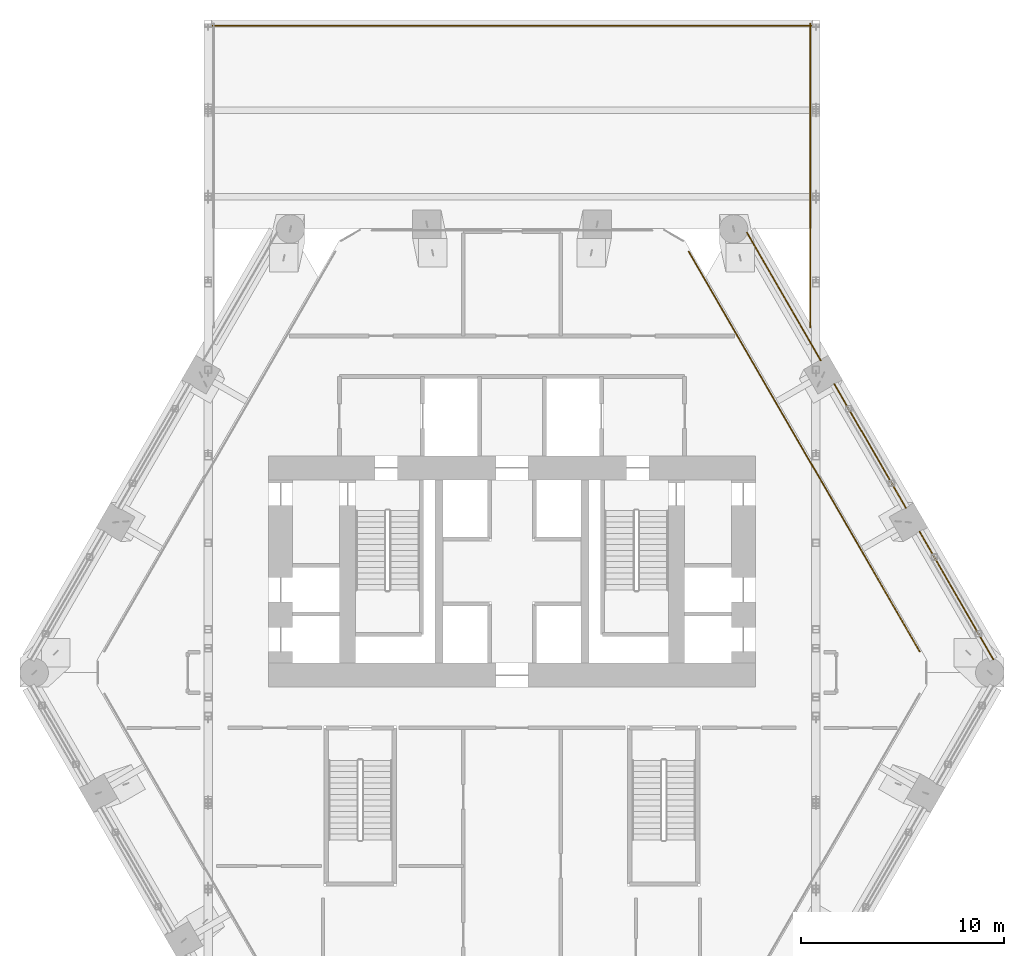
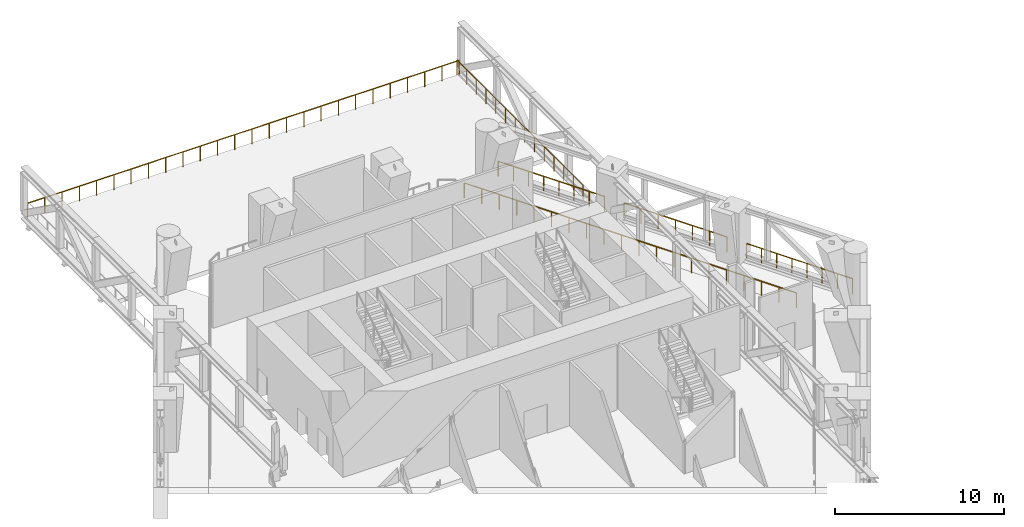
# One storey, part 20 of 20: 6 railings.
"""IFC4 building model written with IfcOpenShell, lengths in metres."""

from ifc_helpers import new_model, si_unit, direction, frame, origin, origin_2d, place, context, subcontext, project, spatial, circle, extrude, material, type_object, element, save


model = new_model("IFC4")

# Units and contexts
model_context = context("Model", 3, precision=1e-05, world=origin(), true_north=direction((0.0, 1.0)))
body_context = subcontext(model_context, "Body", "Model", "MODEL_VIEW")
ifc_project = project(units=[si_unit("LENGTHUNIT", "METRE"), si_unit("AREAUNIT", "SQUARE_METRE"), si_unit("VOLUMEUNIT", "CUBIC_METRE"), si_unit("PLANEANGLEUNIT", "RADIAN"), si_unit("MASSUNIT", "GRAM", prefix="KILO")], contexts=[model_context])

# Site, building, storey
site_placement = place(None, origin())
site = spatial("IfcSite", under=ifc_project, at=site_placement, CompositionType="ELEMENT")
building_placement = place(site_placement, origin())
building = spatial("IfcBuilding", under=site, at=building_placement, Name="Ostrander Bayou Hotel Tower", CompositionType="ELEMENT")
storey_placement = place(building_placement, frame((0.0, 0.0, 80.5)))
storey = spatial("IfcBuildingStorey", under=building, at=storey_placement, Name="L20", CompositionType="ELEMENT", Elevation=80.5)

# Railings
ifc_material = material(Name="Stainless steel and clear glass", Category="steel")
railing_type = type_object("IfcRailingType", Name="GR1 guard 1100 mm", PredefinedType="GUARDRAIL", material=ifc_material)
railing_1_placement = place(storey_placement, frame((23.707275390625, -0.325927734375, 0.0)))
element("IfcRailing", 1, at=railing_1_placement, inside=storey, type_object=railing_type, Name="GR1 L20 NE-1 open band guard", PredefinedType="GUARDRAIL", context=body_context, shape_type="SweptSolid", body=[
    extrude(circle(Radius=0.02490234375, at=origin_2d()), frame((0.0, 0.0, 1.0751953125), z_axis=(-0.50000343918, 0.866023418164, 0.0), x_axis=(-0.866023418164, -0.50000343918, 0.0)), (0.0, 0.0, 1.0), 7.2705078125),
    extrude(circle(Radius=0.02001953125, at=origin_2d()), origin(), (0.0, 0.0, 1.0), 1.050048828125),
    extrude(circle(Radius=0.02001953125, at=origin_2d()), frame((-0.519287109375, 0.8994140625, 0.0)), (0.0, 0.0, 1.0), 1.050048828125),
    extrude(circle(Radius=0.02001953125, at=origin_2d()), frame((-1.03857421875, 1.799072265625, 0.0)), (0.0, 0.0, 1.0), 1.050048828125),
    extrude(circle(Radius=0.02001953125, at=origin_2d()), frame((-1.557861328125, 2.698486328125, 0.0)), (0.0, 0.0, 1.0), 1.050048828125),
    extrude(circle(Radius=0.02001953125, at=origin_2d()), frame((-2.077392578125, 3.597900390625, 0.0)), (0.0, 0.0, 1.0), 1.050048828125),
    extrude(circle(Radius=0.02001953125, at=origin_2d()), frame((-2.5966796875, 4.497314453125, 0.0)), (0.0, 0.0, 1.0), 1.050048828125),
    extrude(circle(Radius=0.02001953125, at=origin_2d()), frame((-3.115966796875, 5.39697265625, 0.0)), (0.0, 0.0, 1.0), 1.050048828125),
    extrude(circle(Radius=0.02001953125, at=origin_2d()), frame((-3.63525390625, 6.29638671875, 0.0)), (0.0, 0.0, 1.0), 1.050048828125),
])
railing_2_placement = place(storey_placement, frame((19.402099609375, 7.131103515625, 0.0)))
element("IfcRailing", 2, at=railing_2_placement, inside=storey, type_object=railing_type, Name="GR1 L20 NE-2 open band guard", PredefinedType="GUARDRAIL", context=body_context, shape_type="SweptSolid", body=[
    extrude(circle(Radius=0.02490234375, at=origin_2d()), frame((0.0, 0.0, 1.0751953125), z_axis=(-0.500012199891, 0.86601836006, 0.0), x_axis=(-0.86601836006, -0.500012199891, 0.0)), (0.0, 0.0, 1.0), 7.050537109375),
    extrude(circle(Radius=0.02001953125, at=origin_2d()), origin(), (0.0, 0.0, 1.0), 1.050048828125),
    extrude(circle(Radius=0.02001953125, at=origin_2d()), frame((-0.587646484375, 1.017578125, 0.0)), (0.0, 0.0, 1.0), 1.050048828125),
    extrude(circle(Radius=0.02001953125, at=origin_2d()), frame((-1.175048828125, 2.035400390625, 0.0)), (0.0, 0.0, 1.0), 1.050048828125),
    extrude(circle(Radius=0.02001953125, at=origin_2d()), frame((-1.7626953125, 3.052978515625, 0.0)), (0.0, 0.0, 1.0), 1.050048828125),
    extrude(circle(Radius=0.02001953125, at=origin_2d()), frame((-2.350341796875, 4.070556640625, 0.0)), (0.0, 0.0, 1.0), 1.050048828125),
    extrude(circle(Radius=0.02001953125, at=origin_2d()), frame((-2.937744140625, 5.08837890625, 0.0)), (0.0, 0.0, 1.0), 1.050048828125),
    extrude(circle(Radius=0.02001953125, at=origin_2d()), frame((-3.525390625, 6.10595703125, 0.0)), (0.0, 0.0, 1.0), 1.050048828125),
])
railing_3_placement = place(storey_placement, frame((15.20654296875, 14.397705078125, 0.0)))
element("IfcRailing", 3, at=railing_3_placement, inside=storey, type_object=railing_type, Name="GR1 L20 NE-3 open band guard", PredefinedType="GUARDRAIL", context=body_context, shape_type="SweptSolid", body=[
    extrude(circle(Radius=0.02490234375, at=origin_2d()), frame((0.0, 0.0, 1.0751953125), z_axis=(-0.50000343918, 0.866023418164, 0.0), x_axis=(-0.866023418164, -0.50000343918, 0.0)), (0.0, 0.0, 1.0), 7.2705078125),
    extrude(circle(Radius=0.02001953125, at=origin_2d()), origin(), (0.0, 0.0, 1.0), 1.050048828125),
    extrude(circle(Radius=0.02001953125, at=origin_2d()), frame((-0.519287109375, 0.8994140625, 0.0)), (0.0, 0.0, 1.0), 1.050048828125),
    extrude(circle(Radius=0.02001953125, at=origin_2d()), frame((-1.03857421875, 1.799072265625, 0.0)), (0.0, 0.0, 1.0), 1.050048828125),
    extrude(circle(Radius=0.02001953125, at=origin_2d()), frame((-1.557861328125, 2.698486328125, 0.0)), (0.0, 0.0, 1.0), 1.050048828125),
    extrude(circle(Radius=0.02001953125, at=origin_2d()), frame((-2.077392578125, 3.597900390625, 0.0)), (0.0, 0.0, 1.0), 1.050048828125),
    extrude(circle(Radius=0.02001953125, at=origin_2d()), frame((-2.5966796875, 4.497314453125, 0.0)), (0.0, 0.0, 1.0), 1.050048828125),
    extrude(circle(Radius=0.02001953125, at=origin_2d()), frame((-3.115966796875, 5.39697265625, 0.0)), (0.0, 0.0, 1.0), 1.050048828125),
    extrude(circle(Radius=0.02001953125, at=origin_2d()), frame((-3.63525390625, 6.29638671875, 0.0)), (0.0, 0.0, 1.0), 1.050048828125),
])
railing_4_placement = place(storey_placement, frame((8.70361328125, 19.76123046875, 0.0)))
element("IfcRailing", 4, at=railing_4_placement, inside=storey, type_object=railing_type, Name="GR1 L20 edge guard 2", PredefinedType="GUARDRAIL", context=body_context, shape_type="SweptSolid", body=[
    extrude(circle(Radius=0.02490234375, at=origin_2d()), frame((0.0, 0.0, 1.0751953125), z_axis=(0.499997079687, -0.866027089822, 0.0), x_axis=(0.866027089822, 0.499997079687, 0.0)), (0.0, 0.0, 1.0), 22.752685546875),
    extrude(circle(Radius=0.02001953125, at=origin_2d()), origin(), (0.0, 0.0, 1.0), 1.050048828125),
    extrude(circle(Radius=0.02001953125, at=origin_2d()), frame((0.5986328125, -1.037109375, 0.0)), (0.0, 0.0, 1.0), 1.050048828125),
    extrude(circle(Radius=0.02001953125, at=origin_2d()), frame((1.197509765625, -2.07421875, 0.0)), (0.0, 0.0, 1.0), 1.050048828125),
    extrude(circle(Radius=0.02001953125, at=origin_2d()), frame((1.796142578125, -3.111328125, 0.0)), (0.0, 0.0, 1.0), 1.050048828125),
    extrude(circle(Radius=0.02001953125, at=origin_2d()), frame((2.39501953125, -4.148193359375, 0.0)), (0.0, 0.0, 1.0), 1.050048828125),
    extrude(circle(Radius=0.02001953125, at=origin_2d()), frame((2.99365234375, -5.185302734375, 0.0)), (0.0, 0.0, 1.0), 1.050048828125),
    extrude(circle(Radius=0.02001953125, at=origin_2d()), frame((3.592529296875, -6.222412109375, 0.0)), (0.0, 0.0, 1.0), 1.050048828125),
    extrude(circle(Radius=0.02001953125, at=origin_2d()), frame((4.191162109375, -7.259521484375, 0.0)), (0.0, 0.0, 1.0), 1.050048828125),
    extrude(circle(Radius=0.02001953125, at=origin_2d()), frame((4.7900390625, -8.296630859375, 0.0)), (0.0, 0.0, 1.0), 1.050048828125),
    extrude(circle(Radius=0.02001953125, at=origin_2d()), frame((5.388671875, -9.333740234375, 0.0)), (0.0, 0.0, 1.0), 1.050048828125),
    extrude(circle(Radius=0.02001953125, at=origin_2d()), frame((5.987548828125, -10.37060546875, 0.0)), (0.0, 0.0, 1.0), 1.050048828125),
    extrude(circle(Radius=0.02001953125, at=origin_2d()), frame((6.586181640625, -11.40771484375, 0.0)), (0.0, 0.0, 1.0), 1.050048828125),
    extrude(circle(Radius=0.02001953125, at=origin_2d()), frame((7.18505859375, -12.44482421875, 0.0)), (0.0, 0.0, 1.0), 1.050048828125),
    extrude(circle(Radius=0.02001953125, at=origin_2d()), frame((7.78369140625, -13.48193359375, 0.0)), (0.0, 0.0, 1.0), 1.050048828125),
    extrude(circle(Radius=0.02001953125, at=origin_2d()), frame((8.382568359375, -14.51904296875, 0.0)), (0.0, 0.0, 1.0), 1.050048828125),
    extrude(circle(Radius=0.02001953125, at=origin_2d()), frame((8.981201171875, -15.55615234375, 0.0)), (0.0, 0.0, 1.0), 1.050048828125),
    extrude(circle(Radius=0.02001953125, at=origin_2d()), frame((9.580078125, -16.593017578125, 0.0)), (0.0, 0.0, 1.0), 1.050048828125),
    extrude(circle(Radius=0.02001953125, at=origin_2d()), frame((10.1787109375, -17.630126953125, 0.0)), (0.0, 0.0, 1.0), 1.050048828125),
    extrude(circle(Radius=0.02001953125, at=origin_2d()), frame((10.777587890625, -18.667236328125, 0.0)), (0.0, 0.0, 1.0), 1.050048828125),
    extrude(circle(Radius=0.02001953125, at=origin_2d()), frame((11.376220703125, -19.704345703125, 0.0)), (0.0, 0.0, 1.0), 1.050048828125),
])
railing_5_placement = place(storey_placement, frame((14.687255859375, 16.02392578125, 0.0)))
element("IfcRailing", 5, at=railing_5_placement, inside=storey, type_object=railing_type, Name="GR1 bar roof guard SB1 5", PredefinedType="GUARDRAIL", context=body_context, shape_type="SweptSolid", body=[
    extrude(circle(Radius=0.02490234375, at=origin_2d()), frame((0.0, 0.0, 1.0751953125), z_axis=(0.0, 1.0, 0.0), x_axis=(-1.0, 0.0, 0.0)), (0.0, 0.0, 1.0), 14.962158203125),
    extrude(circle(Radius=0.02001953125, at=origin_2d()), origin(), (0.0, 0.0, 1.0), 1.050048828125),
    extrude(circle(Radius=0.02001953125, at=origin_2d()), frame((0.0, 1.15087890625, 0.0)), (0.0, 0.0, 1.0), 1.050048828125),
    extrude(circle(Radius=0.02001953125, at=origin_2d()), frame((0.0, 2.3017578125, 0.0)), (0.0, 0.0, 1.0), 1.050048828125),
    extrude(circle(Radius=0.02001953125, at=origin_2d()), frame((0.0, 3.452880859375, 0.0)), (0.0, 0.0, 1.0), 1.050048828125),
    extrude(circle(Radius=0.02001953125, at=origin_2d()), frame((0.0, 4.603759765625, 0.0)), (0.0, 0.0, 1.0), 1.050048828125),
    extrude(circle(Radius=0.02001953125, at=origin_2d()), frame((0.0, 5.754638671875, 0.0)), (0.0, 0.0, 1.0), 1.050048828125),
    extrude(circle(Radius=0.02001953125, at=origin_2d()), frame((0.0, 6.905517578125, 0.0)), (0.0, 0.0, 1.0), 1.050048828125),
    extrude(circle(Radius=0.02001953125, at=origin_2d()), frame((0.0, 8.056640625, 0.0)), (0.0, 0.0, 1.0), 1.050048828125),
    extrude(circle(Radius=0.02001953125, at=origin_2d()), frame((0.0, 9.20751953125, 0.0)), (0.0, 0.0, 1.0), 1.050048828125),
    extrude(circle(Radius=0.02001953125, at=origin_2d()), frame((0.0, 10.3583984375, 0.0)), (0.0, 0.0, 1.0), 1.050048828125),
    extrude(circle(Radius=0.02001953125, at=origin_2d()), frame((0.0, 11.50927734375, 0.0)), (0.0, 0.0, 1.0), 1.050048828125),
    extrude(circle(Radius=0.02001953125, at=origin_2d()), frame((0.0, 12.660400390625, 0.0)), (0.0, 0.0, 1.0), 1.050048828125),
    extrude(circle(Radius=0.02001953125, at=origin_2d()), frame((0.0, 13.811279296875, 0.0)), (0.0, 0.0, 1.0), 1.050048828125),
    extrude(circle(Radius=0.02001953125, at=origin_2d()), frame((0.0, 14.962158203125, 0.0)), (0.0, 0.0, 1.0), 1.050048828125),
])
railing_6_placement = place(storey_placement, frame((14.787109375, 30.88623046875, 0.0)))
element("IfcRailing", 6, at=railing_6_placement, inside=storey, type_object=railing_type, Name="GR1 bar roof guard SB1 6", PredefinedType="GUARDRAIL", context=body_context, shape_type="SweptSolid", body=[
    extrude(circle(Radius=0.02490234375, at=origin_2d()), frame((0.0, 0.0, 1.0751953125), z_axis=(-1.0, 0.0, 0.0), x_axis=(0.0, -1.0, 0.0)), (0.0, 0.0, 1.0), 29.57421875),
    extrude(circle(Radius=0.02001953125, at=origin_2d()), origin(), (0.0, 0.0, 1.0), 1.050048828125),
    extrude(circle(Radius=0.02001953125, at=origin_2d()), frame((-1.182861328125, 0.0, 0.0)), (0.0, 0.0, 1.0), 1.050048828125),
    extrude(circle(Radius=0.02001953125, at=origin_2d()), frame((-2.365966796875, 0.0, 0.0)), (0.0, 0.0, 1.0), 1.050048828125),
    extrude(circle(Radius=0.02001953125, at=origin_2d()), frame((-3.548828125, 0.0, 0.0)), (0.0, 0.0, 1.0), 1.050048828125),
    extrude(circle(Radius=0.02001953125, at=origin_2d()), frame((-4.73193359375, 0.0, 0.0)), (0.0, 0.0, 1.0), 1.050048828125),
    extrude(circle(Radius=0.02001953125, at=origin_2d()), frame((-5.914794921875, 0.0, 0.0)), (0.0, 0.0, 1.0), 1.050048828125),
    extrude(circle(Radius=0.02001953125, at=origin_2d()), frame((-7.097900390625, 0.0, 0.0)), (0.0, 0.0, 1.0), 1.050048828125),
    extrude(circle(Radius=0.02001953125, at=origin_2d()), frame((-8.28076171875, 0.0, 0.0)), (0.0, 0.0, 1.0), 1.050048828125),
    extrude(circle(Radius=0.02001953125, at=origin_2d()), frame((-9.4638671875, 0.0, 0.0)), (0.0, 0.0, 1.0), 1.050048828125),
    extrude(circle(Radius=0.02001953125, at=origin_2d()), frame((-10.646728515625, 0.0, 0.0)), (0.0, 0.0, 1.0), 1.050048828125),
    extrude(circle(Radius=0.02001953125, at=origin_2d()), frame((-11.82958984375, 0.0, 0.0)), (0.0, 0.0, 1.0), 1.050048828125),
    extrude(circle(Radius=0.02001953125, at=origin_2d()), frame((-13.0126953125, 0.0, 0.0)), (0.0, 0.0, 1.0), 1.050048828125),
    extrude(circle(Radius=0.02001953125, at=origin_2d()), frame((-14.195556640625, 0.0, 0.0)), (0.0, 0.0, 1.0), 1.050048828125),
    extrude(circle(Radius=0.02001953125, at=origin_2d()), frame((-15.378662109375, 0.0, 0.0)), (0.0, 0.0, 1.0), 1.050048828125),
    extrude(circle(Radius=0.02001953125, at=origin_2d()), frame((-16.5615234375, 0.0, 0.0)), (0.0, 0.0, 1.0), 1.050048828125),
    extrude(circle(Radius=0.02001953125, at=origin_2d()), frame((-17.74462890625, 0.0, 0.0)), (0.0, 0.0, 1.0), 1.050048828125),
    extrude(circle(Radius=0.02001953125, at=origin_2d()), frame((-18.927490234375, 0.0, 0.0)), (0.0, 0.0, 1.0), 1.050048828125),
    extrude(circle(Radius=0.02001953125, at=origin_2d()), frame((-20.1103515625, 0.0, 0.0)), (0.0, 0.0, 1.0), 1.050048828125),
    extrude(circle(Radius=0.02001953125, at=origin_2d()), frame((-21.29345703125, 0.0, 0.0)), (0.0, 0.0, 1.0), 1.050048828125),
    extrude(circle(Radius=0.02001953125, at=origin_2d()), frame((-22.476318359375, 0.0, 0.0)), (0.0, 0.0, 1.0), 1.050048828125),
    extrude(circle(Radius=0.02001953125, at=origin_2d()), frame((-23.659423828125, 0.0, 0.0)), (0.0, 0.0, 1.0), 1.050048828125),
    extrude(circle(Radius=0.02001953125, at=origin_2d()), frame((-24.84228515625, 0.0, 0.0)), (0.0, 0.0, 1.0), 1.050048828125),
    extrude(circle(Radius=0.02001953125, at=origin_2d()), frame((-26.025390625, 0.0, 0.0)), (0.0, 0.0, 1.0), 1.050048828125),
    extrude(circle(Radius=0.02001953125, at=origin_2d()), frame((-27.208251953125, 0.0, 0.0)), (0.0, 0.0, 1.0), 1.050048828125),
    extrude(circle(Radius=0.02001953125, at=origin_2d()), frame((-28.391357421875, 0.0, 0.0)), (0.0, 0.0, 1.0), 1.050048828125),
    extrude(circle(Radius=0.02001953125, at=origin_2d()), frame((-29.57421875, 0.0, 0.0)), (0.0, 0.0, 1.0), 1.050048828125),
])

save(model, "model.ifc")
